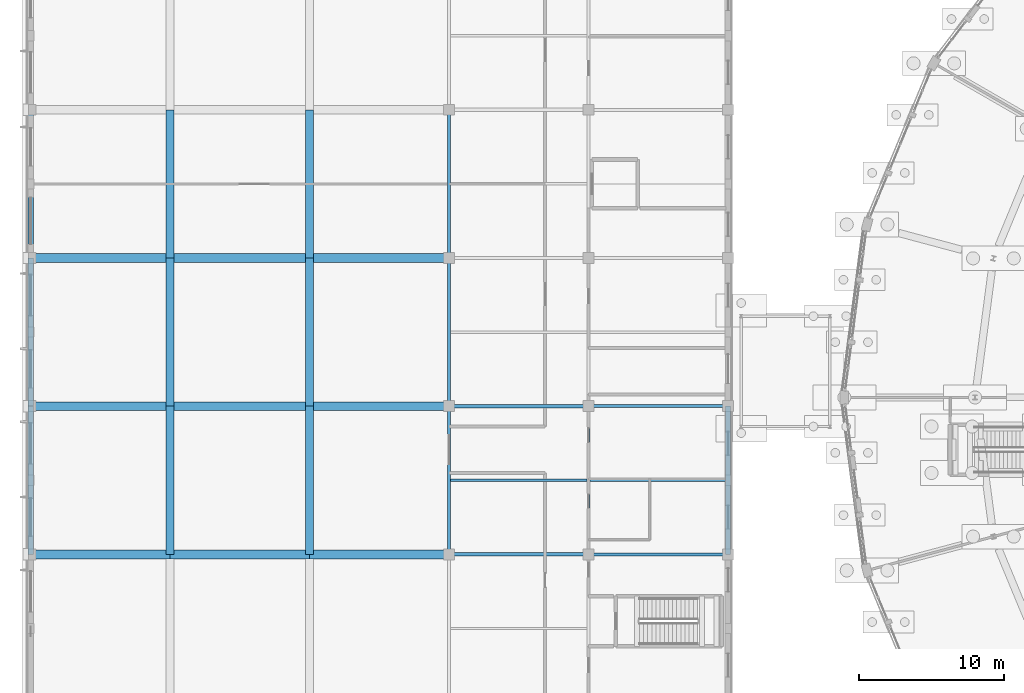
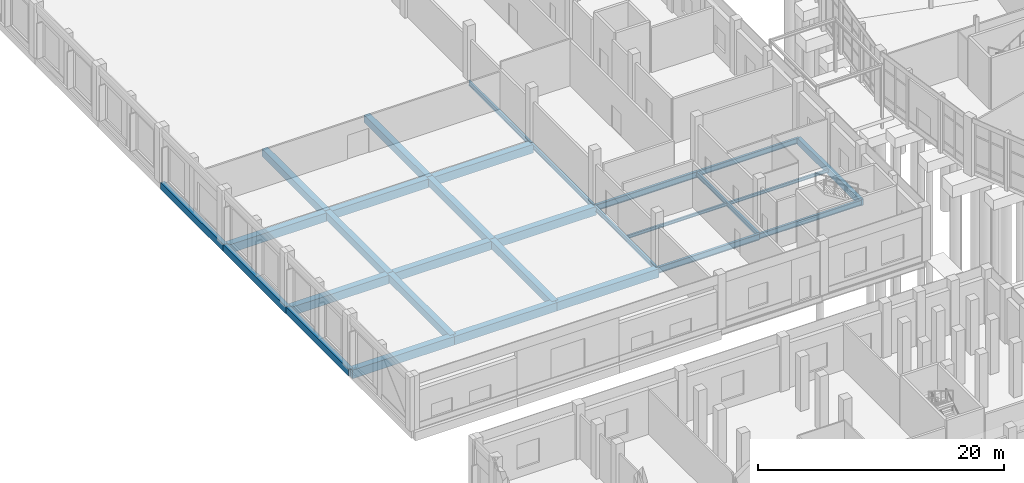
# One storey, part 44 of 137: 29 beams.
"""IFC4 building model written with IfcOpenShell, lengths in metres."""

from ifc_helpers import new_model, si_unit, direction, frame, origin, origin_2d, place, context, subcontext, project, spatial, rectangle, i_section, extrude, material, material_profile, profile_set, type_object, element, save


model = new_model("IFC4")

# Units and contexts
model_context = context("Model", 3, precision=1e-05, world=origin(), true_north=direction((0.0, 1.0)))
body_context = subcontext(model_context, "Body", "Model", "MODEL_VIEW")
ifc_project = project(units=[si_unit("LENGTHUNIT", "METRE"), si_unit("AREAUNIT", "SQUARE_METRE"), si_unit("VOLUMEUNIT", "CUBIC_METRE"), si_unit("PLANEANGLEUNIT", "RADIAN"), si_unit("MASSUNIT", "GRAM", prefix="KILO")], contexts=[model_context])

# Site, building, storey
site_placement = place(None, origin())
site = spatial("IfcSite", under=ifc_project, at=site_placement, CompositionType="ELEMENT")
building_placement = place(site_placement, origin())
building = spatial("IfcBuilding", under=site, at=building_placement, Name="Vondelvale Polytechnic", CompositionType="ELEMENT")
storey_placement = place(building_placement, origin())
storey = spatial("IfcBuildingStorey", under=building, at=storey_placement, Name="L00", CompositionType="ELEMENT", Elevation=0.0)

# Beams
ifc_material_1 = material(Name="Concrete N40 (f'c = 40 MPa)", Category="concrete")
ifc_material_profile_1 = material_profile(ifc_material_1, rectangle(XDim=0.550048828125, YDim=0.75, at=origin_2d()), Name="RC-BM-550x750")
ifc_profile_set_1 = profile_set([ifc_material_profile_1], Name="Concrete N40 (f'c = 40 MPa)")
beam_type_1 = type_object("IfcBeamType", Name="BM-RC550x750", PredefinedType="BEAM", material=ifc_profile_set_1)
beam_1_placement = place(storey_placement, frame((9.60009765625, 61.199951171875, -0.675048828125), z_axis=(0.0, 1.0, 0.0), x_axis=(-1.0, 0.0, 0.0)))
element("IfcBeam", 1, at=beam_1_placement, inside=storey, type_object=beam_type_1, Name="L00 B B-02", PredefinedType="BEAM", context=body_context, shape_type="SweptSolid", body=[
    extrude(rectangle(XDim=0.550048828125, YDim=0.75, at=origin_2d()), origin(), (0.0, 0.0, 1.0), 10.199951171875),
])
beam_2_placement = place(storey_placement, frame((9.60009765625, 71.39990234375, -0.675048828125), z_axis=(0.0, 1.0, 0.0), x_axis=(-1.0, 0.0, 0.0)))
element("IfcBeam", 2, at=beam_2_placement, inside=storey, type_object=beam_type_1, Name="L00 B B-02", PredefinedType="BEAM", context=body_context, shape_type="SweptSolid", body=[
    extrude(rectangle(XDim=0.550048828125, YDim=0.75, at=origin_2d()), origin(), (0.0, 0.0, 1.0), 10.2001953125),
])
for number, where, z_axis, x_axis, name in (
    (3, (9.60009765625, 81.60009765625, -0.675048828125), (0.0, 1.0, 0.0), (-1.0, 0.0, 0.0), "L00 B B-02"),
    (4, (19.199951171875, 61.199951171875, -0.675048828125), (0.0, 1.0, 0.0), (-1.0, 0.0, 0.0), "L00 B B-02"),
):
    element("IfcBeam", number, at=place(storey_placement, frame(where, z_axis=z_axis, x_axis=x_axis)), inside=storey, type_object=beam_type_1, Name=name, PredefinedType="BEAM", context=body_context, shape_type="SweptSolid", body=[
        extrude(rectangle(XDim=0.550048828125, YDim=0.75, at=origin_2d()), origin(), (0.0, 0.0, 1.0), 10.199951171875),
    ])
beam_3_placement = place(storey_placement, frame((19.199951171875, 71.39990234375, -0.675048828125), z_axis=(0.0, 1.0, 0.0), x_axis=(-1.0, 0.0, 0.0)))
element("IfcBeam", 5, at=beam_3_placement, inside=storey, type_object=beam_type_1, Name="L00 B B-02", PredefinedType="BEAM", context=body_context, shape_type="SweptSolid", body=[
    extrude(rectangle(XDim=0.550048828125, YDim=0.75, at=origin_2d()), origin(), (0.0, 0.0, 1.0), 10.2001953125),
])
beam_4_placement = place(storey_placement, frame((19.199951171875, 81.60009765625, -0.675048828125), z_axis=(0.0, 1.0, 0.0), x_axis=(-1.0, 0.0, 0.0)))
element("IfcBeam", 6, at=beam_4_placement, inside=storey, type_object=beam_type_1, Name="L00 B B-02", PredefinedType="BEAM", context=body_context, shape_type="SweptSolid", body=[
    extrude(rectangle(XDim=0.550048828125, YDim=0.75, at=origin_2d()), origin(), (0.0, 0.0, 1.0), 10.199951171875),
])
ifc_material_profile_2 = material_profile(ifc_material_1, rectangle(XDim=0.60009765625, YDim=0.85009765625, at=origin_2d()), Name="RC-BM-600x850")
ifc_profile_set_2 = profile_set([ifc_material_profile_2], Name="Concrete N40 (f'c = 40 MPa)")
beam_type_2 = type_object("IfcBeamType", Name="BM-RC600x850", PredefinedType="BEAM", material=ifc_profile_set_2)
beam_5_placement = place(storey_placement, frame((0.0, 61.199951171875, -0.72509765625), z_axis=(1.0, 0.0, 0.0), x_axis=(0.0, 1.0, 0.0)))
element("IfcBeam", 7, at=beam_5_placement, inside=storey, type_object=beam_type_2, Name="L00 B B-01", PredefinedType="BEAM", context=body_context, shape_type="SweptSolid", body=[
    extrude(rectangle(XDim=0.60009765625, YDim=0.85009765625, at=origin_2d()), origin(), (0.0, 0.0, 1.0), 9.60009765625),
])
beam_6_placement = place(storey_placement, frame((9.60009765625, 61.199951171875, -0.72509765625), z_axis=(1.0, 0.0, 0.0), x_axis=(0.0, 1.0, 0.0)))
element("IfcBeam", 8, at=beam_6_placement, inside=storey, type_object=beam_type_2, Name="L00 B B-01", PredefinedType="BEAM", context=body_context, shape_type="SweptSolid", body=[
    extrude(rectangle(XDim=0.60009765625, YDim=0.85009765625, at=origin_2d()), origin(), (0.0, 0.0, 1.0), 9.599853515625),
])
for number, where, z_axis, x_axis, name in (
    (9, (19.199951171875, 61.199951171875, -0.72509765625), (1.0, 0.0, 0.0), (0.0, 1.0, 0.0), "L00 B B-01"),
    (10, (0.0, 71.39990234375, -0.72509765625), (1.0, 0.0, 0.0), (0.0, 1.0, 0.0), "L00 B B-01"),
):
    element("IfcBeam", number, at=place(storey_placement, frame(where, z_axis=z_axis, x_axis=x_axis)), inside=storey, type_object=beam_type_2, Name=name, PredefinedType="BEAM", context=body_context, shape_type="SweptSolid", body=[
        extrude(rectangle(XDim=0.60009765625, YDim=0.85009765625, at=origin_2d()), origin(), (0.0, 0.0, 1.0), 9.60009765625),
    ])
beam_7_placement = place(storey_placement, frame((9.60009765625, 71.39990234375, -0.72509765625), z_axis=(1.0, 0.0, 0.0), x_axis=(0.0, 1.0, 0.0)))
element("IfcBeam", 11, at=beam_7_placement, inside=storey, type_object=beam_type_2, Name="L00 B B-01", PredefinedType="BEAM", context=body_context, shape_type="SweptSolid", body=[
    extrude(rectangle(XDim=0.60009765625, YDim=0.85009765625, at=origin_2d()), origin(), (0.0, 0.0, 1.0), 9.599853515625),
])
for number, where, z_axis, x_axis, name in (
    (12, (19.199951171875, 71.39990234375, -0.72509765625), (1.0, 0.0, 0.0), (0.0, 1.0, 0.0), "L00 B B-01"),
    (13, (0.0, 81.60009765625, -0.72509765625), (1.0, 0.0, 0.0), (0.0, 1.0, 0.0), "L00 B B-01"),
):
    element("IfcBeam", number, at=place(storey_placement, frame(where, z_axis=z_axis, x_axis=x_axis)), inside=storey, type_object=beam_type_2, Name=name, PredefinedType="BEAM", context=body_context, shape_type="SweptSolid", body=[
        extrude(rectangle(XDim=0.60009765625, YDim=0.85009765625, at=origin_2d()), origin(), (0.0, 0.0, 1.0), 9.60009765625),
    ])
beam_8_placement = place(storey_placement, frame((9.60009765625, 81.60009765625, -0.72509765625), z_axis=(1.0, 0.0, 0.0), x_axis=(0.0, 1.0, 0.0)))
element("IfcBeam", 14, at=beam_8_placement, inside=storey, type_object=beam_type_2, Name="L00 B B-01", PredefinedType="BEAM", context=body_context, shape_type="SweptSolid", body=[
    extrude(rectangle(XDim=0.60009765625, YDim=0.85009765625, at=origin_2d()), origin(), (0.0, 0.0, 1.0), 9.599853515625),
])
beam_9_placement = place(storey_placement, frame((19.199951171875, 81.60009765625, -0.72509765625), z_axis=(1.0, 0.0, 0.0), x_axis=(0.0, 1.0, 0.0)))
element("IfcBeam", 15, at=beam_9_placement, inside=storey, type_object=beam_type_2, Name="L00 B B-01", PredefinedType="BEAM", context=body_context, shape_type="SweptSolid", body=[
    extrude(rectangle(XDim=0.60009765625, YDim=0.85009765625, at=origin_2d()), origin(), (0.0, 0.0, 1.0), 9.60009765625),
])
ifc_material_2 = material(Name="Steel 300PLUS (fy = 300 MPa)", Category="steel")
ifc_material_profile_3 = material_profile(ifc_material_2, i_section(OverallWidth=0.18994140625, OverallDepth=0.45703125, WebThickness=0.009033203125, FlangeThickness=0.014404296875, FilletRadius=0.011474609375, at=origin_2d()), Name="460UB74.6")
ifc_profile_set_3 = profile_set([ifc_material_profile_3], Name="Steel 300PLUS (fy = 300 MPa)")
beam_type_3 = type_object("IfcBeamType", Name="BM-UB460", PredefinedType="BEAM", material=ifc_profile_set_3)
beam_10_placement = place(storey_placement, frame((28.800048828125, 61.199951171875, -0.528564453125), z_axis=(0.0, 1.0, 0.0), x_axis=(-1.0, 0.0, 0.0)))
element("IfcBeam", 16, at=beam_10_placement, inside=storey, type_object=beam_type_3, Name="L00 B B-13", PredefinedType="BEAM", context=body_context, shape_type="SweptSolid", body=[
    extrude(i_section(OverallWidth=0.18994140625, OverallDepth=0.45703125, WebThickness=0.009033203125, FlangeThickness=0.014404296875, FilletRadius=0.011474609375, at=origin_2d()), origin(), (0.0, 0.0, 1.0), 10.199951171875),
])
beam_11_placement = place(storey_placement, frame((28.800048828125, 71.39990234375, -0.528564453125), z_axis=(0.0, 1.0, 0.0), x_axis=(-1.0, 0.0, 0.0)))
element("IfcBeam", 17, at=beam_11_placement, inside=storey, type_object=beam_type_3, Name="L00 B B-13", PredefinedType="BEAM", context=body_context, shape_type="SweptSolid", body=[
    extrude(i_section(OverallWidth=0.18994140625, OverallDepth=0.45703125, WebThickness=0.009033203125, FlangeThickness=0.014404296875, FilletRadius=0.011474609375, at=origin_2d()), origin(), (0.0, 0.0, 1.0), 10.2001953125),
])
for number, where, z_axis, x_axis, name in (
    (18, (28.800048828125, 81.60009765625, -0.528564453125), (0.0, 1.0, 0.0), (-1.0, 0.0, 0.0), "L00 B B-13"),
    (19, (38.39990234375, 61.199951171875, -0.528564453125), (0.0, 1.0, 0.0), (-1.0, 0.0, 0.0), "L00 B B-13"),
):
    element("IfcBeam", number, at=place(storey_placement, frame(where, z_axis=z_axis, x_axis=x_axis)), inside=storey, type_object=beam_type_3, Name=name, PredefinedType="BEAM", context=body_context, shape_type="SweptSolid", body=[
        extrude(i_section(OverallWidth=0.18994140625, OverallDepth=0.45703125, WebThickness=0.009033203125, FlangeThickness=0.014404296875, FilletRadius=0.011474609375, at=origin_2d()), origin(), (0.0, 0.0, 1.0), 10.199951171875),
    ])
ifc_material_profile_4 = material_profile(ifc_material_2, i_section(OverallWidth=0.208984375, OverallDepth=0.532958984375, WebThickness=0.01025390625, FlangeThickness=0.015625, FilletRadius=0.013916015625, at=origin_2d()), Name="530UB92.4")
ifc_profile_set_4 = profile_set([ifc_material_profile_4], Name="Steel 300PLUS (fy = 300 MPa)")
beam_type_4 = type_object("IfcBeamType", Name="BM-UB530", PredefinedType="BEAM", material=ifc_profile_set_4)
for number, where, z_axis, x_axis, name in (
    (20, (38.39990234375, 61.199951171875, -0.56640625), (1.0, 0.0, 0.0), (0.0, 1.0, 0.0), "L00 B B-11"),
    (21, (38.39990234375, 71.39990234375, -0.56640625), (1.0, 0.0, 0.0), (0.0, 1.0, 0.0), "L00 B B-11"),
):
    element("IfcBeam", number, at=place(storey_placement, frame(where, z_axis=z_axis, x_axis=x_axis)), inside=storey, type_object=beam_type_4, Name=name, PredefinedType="BEAM", context=body_context, shape_type="SweptSolid", body=[
        extrude(i_section(OverallWidth=0.208984375, OverallDepth=0.532958984375, WebThickness=0.01025390625, FlangeThickness=0.015625, FilletRadius=0.013916015625, at=origin_2d()), origin(), (0.0, 0.0, 1.0), 9.60009765625),
    ])
ifc_material_profile_5 = material_profile(ifc_material_2, i_section(OverallWidth=0.22900390625, OverallDepth=0.612060546875, WebThickness=0.011962890625, FlangeThickness=0.01953125, FilletRadius=0.013916015625, at=origin_2d()), Name="610UB125")
ifc_profile_set_5 = profile_set([ifc_material_profile_5], Name="Steel 300PLUS (fy = 300 MPa)")
beam_type_5 = type_object("IfcBeamType", Name="BM-UB610H", PredefinedType="BEAM", material=ifc_profile_set_5)
for number, where, z_axis, x_axis, name in (
    (22, (28.800048828125, 61.199951171875, -0.60595703125), (1.0, 0.0, 0.0), (0.0, 1.0, 0.0), "L00 B B-09"),
    (23, (28.800048828125, 71.39990234375, -0.60595703125), (1.0, 0.0, 0.0), (0.0, 1.0, 0.0), "L00 B B-09"),
):
    element("IfcBeam", number, at=place(storey_placement, frame(where, z_axis=z_axis, x_axis=x_axis)), inside=storey, type_object=beam_type_5, Name=name, PredefinedType="BEAM", context=body_context, shape_type="SweptSolid", body=[
        extrude(i_section(OverallWidth=0.22900390625, OverallDepth=0.612060546875, WebThickness=0.011962890625, FlangeThickness=0.01953125, FilletRadius=0.013916015625, at=origin_2d()), origin(), (0.0, 0.0, 1.0), 9.599853515625),
    ])
ifc_material_profile_6 = material_profile(ifc_material_2, i_section(OverallWidth=0.1650390625, OverallDepth=0.303955078125, WebThickness=0.006103515625, FlangeThickness=0.01025390625, FilletRadius=0.011474609375, at=origin_2d()), Name="310UB40.4")
ifc_profile_set_6 = profile_set([ifc_material_profile_6], Name="Steel 300PLUS (fy = 300 MPa)")
beam_type_6 = type_object("IfcBeamType", Name="JST-UB310", PredefinedType="JOIST", material=ifc_profile_set_6)
beam_12_placement = place(storey_placement, frame((28.89990234375, 66.300048828125, -0.451904296875), z_axis=(1.0, 0.0, 0.0), x_axis=(0.0, 1.0, 0.0)))
element("IfcBeam", 24, at=beam_12_placement, inside=storey, type_object=beam_type_6, Name="L00 J J-05", PredefinedType="JOIST", context=body_context, shape_type="SweptSolid", body=[
    extrude(i_section(OverallWidth=0.1650390625, OverallDepth=0.303955078125, WebThickness=0.006103515625, FlangeThickness=0.01025390625, FilletRadius=0.011474609375, at=origin_2d()), origin(), (0.0, 0.0, 1.0), 9.400146484375),
])
beam_13_placement = place(storey_placement, frame((38.5, 66.300048828125, -0.451904296875), z_axis=(1.0, 0.0, 0.0), x_axis=(0.0, 1.0, 0.0)))
element("IfcBeam", 25, at=beam_13_placement, inside=storey, type_object=beam_type_6, Name="L00 J J-05", PredefinedType="JOIST", context=body_context, shape_type="SweptSolid", body=[
    extrude(i_section(OverallWidth=0.1650390625, OverallDepth=0.303955078125, WebThickness=0.006103515625, FlangeThickness=0.01025390625, FilletRadius=0.011474609375, at=origin_2d()), origin(), (0.0, 0.0, 1.0), 9.320068359375),
])
ifc_material_3 = material(Name="Precast concrete N40 (f'c = 40 MPa)", Category="concrete")
ifc_material_profile_7 = material_profile(ifc_material_3, rectangle(XDim=0.35009765625, YDim=0.64990234375, at=origin_2d()), Name="RC-SPN-350x650")
ifc_profile_set_7 = profile_set([ifc_material_profile_7], Name="Precast concrete N40 (f'c = 40 MPa)")
beam_type_7 = type_object("IfcBeamType", Name="SPN-PRE350x650", PredefinedType="SPANDREL", material=ifc_profile_set_7)
beam_14_placement = place(storey_placement, frame((48.0, 61.199951171875, -0.625), z_axis=(0.0, 1.0, 0.0), x_axis=(-1.0, 0.0, 0.0)))
element("IfcBeam", 26, at=beam_14_placement, inside=storey, type_object=beam_type_7, Name="L00 B SP-02", PredefinedType="SPANDREL", context=body_context, shape_type="SweptSolid", body=[
    extrude(rectangle(XDim=0.35009765625, YDim=0.64990234375, at=origin_2d()), origin(), (0.0, 0.0, 1.0), 10.199951171875),
])
ifc_material_profile_8 = material_profile(ifc_material_3, rectangle(XDim=0.39990234375, YDim=0.699951171875, at=origin_2d()), Name="RC-SPN-400x700")
ifc_profile_set_8 = profile_set([ifc_material_profile_8], Name="Precast concrete N40 (f'c = 40 MPa)")
beam_type_8 = type_object("IfcBeamType", Name="SPN-PRE400x700", PredefinedType="SPANDREL", material=ifc_profile_set_8)
beam_15_placement = place(storey_placement, frame((0.0, 61.199951171875, -0.64990234375), z_axis=(0.0, 1.0, 0.0), x_axis=(-1.0, 0.0, 0.0)))
element("IfcBeam", 27, at=beam_15_placement, inside=storey, type_object=beam_type_8, Name="L00 B SP-01", PredefinedType="SPANDREL", context=body_context, shape_type="SweptSolid", body=[
    extrude(rectangle(XDim=0.39990234375, YDim=0.699951171875, at=origin_2d()), origin(), (0.0, 0.0, 1.0), 10.199951171875),
])
beam_16_placement = place(storey_placement, frame((0.0, 71.39990234375, -0.64990234375), z_axis=(0.0, 1.0, 0.0), x_axis=(-1.0, 0.0, 0.0)))
element("IfcBeam", 28, at=beam_16_placement, inside=storey, type_object=beam_type_8, Name="L00 B SP-01", PredefinedType="SPANDREL", context=body_context, shape_type="SweptSolid", body=[
    extrude(rectangle(XDim=0.39990234375, YDim=0.699951171875, at=origin_2d()), origin(), (0.0, 0.0, 1.0), 10.2001953125),
])
beam_17_placement = place(storey_placement, frame((0.0, 81.60009765625, -0.64990234375), z_axis=(0.0, 1.0, 0.0), x_axis=(-1.0, 0.0, 0.0)))
element("IfcBeam", 29, at=beam_17_placement, inside=storey, type_object=beam_type_8, Name="L00 B SP-01", PredefinedType="SPANDREL", context=body_context, shape_type="SweptSolid", body=[
    extrude(rectangle(XDim=0.39990234375, YDim=0.699951171875, at=origin_2d()), origin(), (0.0, 0.0, 1.0), 10.199951171875),
])

save(model, "model.ifc")
